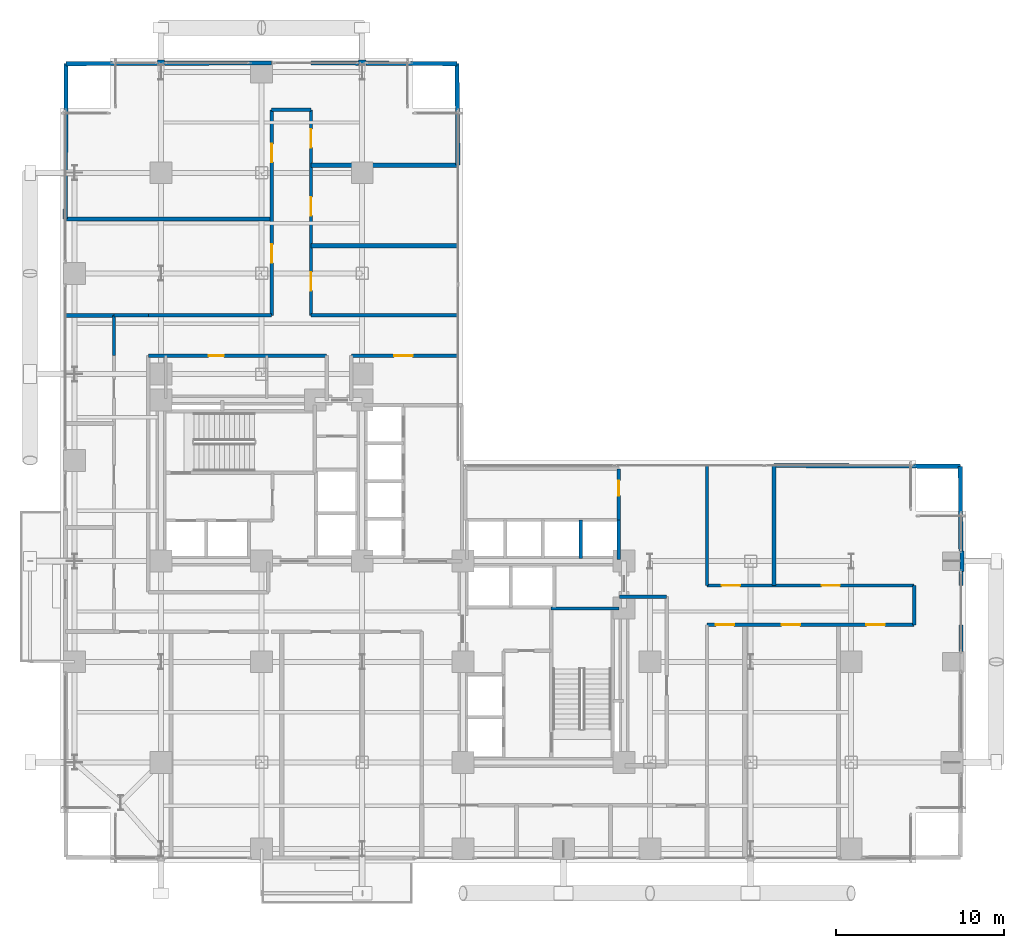
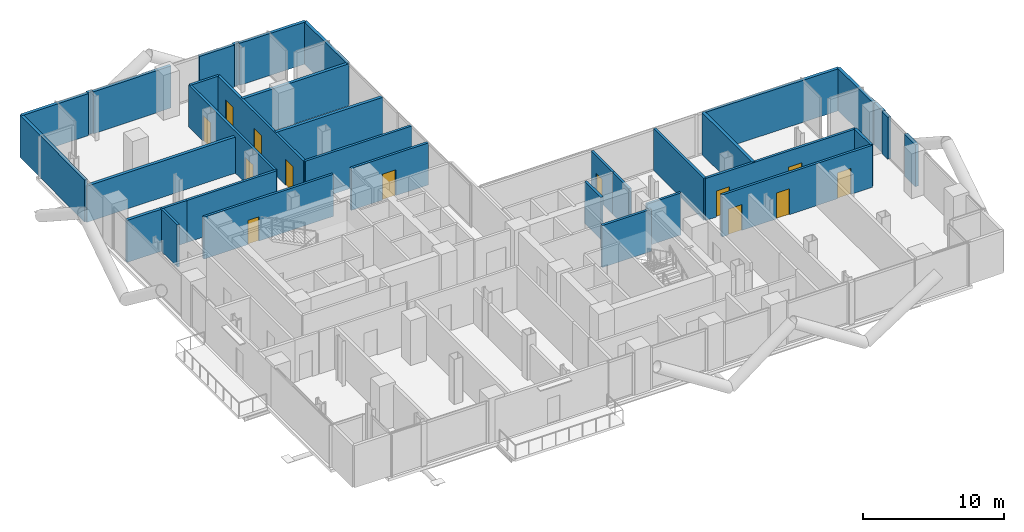
# One storey, part 22 of 25: 36 walls, 13 doors, 13 openings.
"""IFC4 building model written with IfcOpenShell, lengths in metres."""

from ifc_helpers import new_model, si_unit, direction, frame, frame_2d, origin, place, context, subcontext, project, spatial, rectangle, extrude, material, layer, layer_set, type_object, element, fill, save


model = new_model("IFC4")

# Units and contexts
model_context = context("Model", 3, precision=1e-05, world=origin(), true_north=direction((0.0, 1.0)))
body_context = subcontext(model_context, "Body", "Model", "MODEL_VIEW")
ifc_project = project(units=[si_unit("LENGTHUNIT", "METRE"), si_unit("AREAUNIT", "SQUARE_METRE"), si_unit("VOLUMEUNIT", "CUBIC_METRE"), si_unit("PLANEANGLEUNIT", "RADIAN"), si_unit("MASSUNIT", "GRAM", prefix="KILO"), si_unit("THERMODYNAMICTEMPERATUREUNIT", "KELVIN"), si_unit("POWERUNIT", "WATT")], contexts=[model_context])

# Site, building, storey
site_placement = place(None, origin())
site = spatial("IfcSite", under=ifc_project, at=site_placement, CompositionType="ELEMENT")
building_placement = place(site_placement, origin())
building = spatial("IfcBuilding", under=site, at=building_placement, Name="Svarakhadi Broadcast Tower", CompositionType="ELEMENT")
storey_placement = place(building_placement, frame((0.0, 0.0, 79.199951171875)))
storey = spatial("IfcBuildingStorey", under=building, at=storey_placement, Name="L18", CompositionType="ELEMENT", Elevation=79.199951171875)

# Walls
ifc_material_1 = material(Name="Double-Stud Acoustic Studio Partition STC-62", Category="gypsum")
ifc_layer_1 = layer(ifc_material_1, 0.199951171875)
ifc_layer_set_1 = layer_set([ifc_layer_1], Name="Double-Stud Acoustic Studio Partition STC-62")
wall_type_1 = type_object("IfcWallType", Name="Wall_Acoust_200", PredefinedType="PARTITIONING", material=ifc_layer_set_1)
wall_1_placement = place(storey_placement, frame((36.14990234375, 15.8798828125, 0.0), z_axis=(0.0, 0.0, 1.0), x_axis=(-1.0, 0.0, 0.0)))
element("IfcWall", 1, at=wall_1_placement, inside=storey, type_object=wall_type_1, Name="L18 Broadcast Corridor Wall", PredefinedType="PARTITIONING", context=body_context, shape_type="SweptSolid", body=[
    extrude(rectangle(XDim=2.809814453125, YDim=0.199951171875, at=frame_2d((1.40478515625, 0.0))), origin(), (0.0, 0.0, 1.0), 3.650146484375),
])
wall_2_placement = place(storey_placement, frame((38.550048828125, 23.699951171875, 0.0), z_axis=(0.0, 0.0, 1.0), x_axis=(0.0, -1.0, 0.0)))
element("IfcWall", 2, at=wall_2_placement, inside=storey, type_object=wall_type_1, Name="L18 Broadcast Corridor Wall", PredefinedType="PARTITIONING", context=body_context, shape_type="SweptSolid", body=[
    extrude(rectangle(XDim=7.14990234375, YDim=0.199951171875, at=frame_2d((3.574951171875, 0.0))), origin(), (0.0, 0.0, 1.0), 3.650146484375),
])

# Wall, openings, doors
wall_3_placement = place(storey_placement, frame((38.550048828125, 16.550048828125, 0.0), z_axis=(0.0, 0.0, 1.0), x_axis=(1.0, 0.0, 0.0)))
wall_3 = element("IfcWall", 3, at=wall_3_placement, inside=storey, type_object=wall_type_1, Name="L18 Broadcast Corridor Wall", PredefinedType="PARTITIONING", context=body_context, shape_type="SweptSolid", body=[
    extrude(rectangle(XDim=12.349853515625, YDim=0.199951171875, at=frame_2d((6.1748046875, 0.0))), origin(), (0.0, 0.0, 1.0), 3.650146484375),
])
opening_1_placement = place(wall_3_placement, frame((0.8798828125, 0.0, 0.0)))
opening_1 = element("IfcOpeningElement", 4, at=opening_1_placement, cuts=wall_3, Name="Opening D-10", PredefinedType="OPENING", context=body_context, shape_type="SweptSolid", body=[
    extrude(rectangle(XDim=1.10009765625, YDim=2.25, at=frame_2d((0.550048828125, 1.125))), frame((0.0, 0.10986328125, 0.0), z_axis=(0.0, -1.0, 0.0), x_axis=(1.0, 0.0, 0.0)), (0.0, 0.0, 1.0), 0.219970703125),
])
opening_2_placement = place(wall_3_placement, frame((6.830078125, 0.0, 0.0)))
opening_2 = element("IfcOpeningElement", 5, at=opening_2_placement, cuts=wall_3, Name="Opening D-10", PredefinedType="OPENING", context=body_context, shape_type="SweptSolid", body=[
    extrude(rectangle(XDim=1.10009765625, YDim=2.25, at=frame_2d((0.550048828125, 1.125))), frame((0.0, 0.10986328125, 0.0), z_axis=(0.0, -1.0, 0.0), x_axis=(1.0, 0.0, 0.0)), (0.0, 0.0, 1.0), 0.219970703125),
])
ifc_material_2 = material(Name="Solid-Core Teak Veneer Acoustic Timber Leaf", Category="wood")
door_type_1 = type_object("IfcDoorType", Name="Door_Acoust_D10", OperationType="SINGLE_SWING_LEFT", PredefinedType="DOOR", material=ifc_material_2)
door_1_placement = place(opening_1_placement, origin())
door_1 = element("IfcDoor", 6, at=door_1_placement, inside=storey, type_object=door_type_1, Name="L18 Broadcast Acoustic Booth Door", OperationType="SINGLE_SWING_LEFT", OverallHeight=2.25, OverallWidth=1.10009765625, PredefinedType="DOOR", context=body_context, shape_type="SweptSolid", body=[
    extrude(rectangle(XDim=1.10009765625, YDim=2.25, at=frame_2d((0.550048828125, 1.125))), frame((0.0, 0.02490234375, 0.0), z_axis=(0.0, -1.0, 0.0), x_axis=(1.0, 0.0, 0.0)), (0.0, 0.0, 1.0), 0.050048828125),
])
fill(opening_1, door_1)
door_2_placement = place(opening_2_placement, origin())
door_2 = element("IfcDoor", 7, at=door_2_placement, inside=storey, type_object=door_type_1, Name="L18 Broadcast Equipment Operations Room Door", OperationType="SINGLE_SWING_LEFT", OverallHeight=2.25, OverallWidth=1.10009765625, PredefinedType="DOOR", context=body_context, shape_type="SweptSolid", body=[
    extrude(rectangle(XDim=1.10009765625, YDim=2.25, at=frame_2d((0.550048828125, 1.125))), frame((0.0, 0.02490234375, 0.0), z_axis=(0.0, -1.0, 0.0), x_axis=(1.0, 0.0, 0.0)), (0.0, 0.0, 1.0), 0.050048828125),
])
fill(opening_2, door_2)

# Wall
wall_4_placement = place(storey_placement, frame((50.89990234375, 16.550048828125, 0.0), z_axis=(0.0, 0.0, 1.0), x_axis=(0.0, -1.0, 0.0)))
element("IfcWall", 8, at=wall_4_placement, inside=storey, type_object=wall_type_1, Name="L18 Broadcast Corridor Wall", PredefinedType="PARTITIONING", context=body_context, shape_type="SweptSolid", body=[
    extrude(rectangle(XDim=2.35009765625, YDim=0.199951171875, at=frame_2d((1.175048828125, 0.0))), origin(), (0.0, 0.0, 1.0), 3.650146484375),
])

# Wall, openings, doors
wall_5_placement = place(storey_placement, frame((50.89990234375, 14.199951171875, 0.0), z_axis=(0.0, 0.0, 1.0), x_axis=(-1.0, 0.0, 0.0)))
wall_5 = element("IfcWall", 9, at=wall_5_placement, inside=storey, type_object=wall_type_1, Name="L18 Broadcast Corridor Wall", PredefinedType="PARTITIONING", context=body_context, shape_type="SweptSolid", body=[
    extrude(rectangle(XDim=12.349853515625, YDim=0.199951171875, at=frame_2d((6.1748046875, 0.0))), origin(), (0.0, 0.0, 1.0), 3.650146484375),
])
opening_3_placement = place(wall_5_placement, frame((10.72509765625, 0.0, 0.0)))
opening_3 = element("IfcOpeningElement", 10, at=opening_3_placement, cuts=wall_5, Name="Opening D-11", PredefinedType="OPENING", context=body_context, shape_type="SweptSolid", body=[
    extrude(rectangle(XDim=1.10009765625, YDim=2.25, at=frame_2d((0.550048828125, 1.125))), frame((0.0, 0.10986328125, 0.0), z_axis=(0.0, -1.0, 0.0), x_axis=(1.0, 0.0, 0.0)), (0.0, 0.0, 1.0), 0.219970703125),
])
opening_4_placement = place(wall_5_placement, frame((6.800048828125, 0.0, 0.0)))
opening_4 = element("IfcOpeningElement", 11, at=opening_4_placement, cuts=wall_5, Name="Opening D-10", PredefinedType="OPENING", context=body_context, shape_type="SweptSolid", body=[
    extrude(rectangle(XDim=1.10009765625, YDim=2.25, at=frame_2d((0.550048828125, 1.125))), frame((0.0, 0.10986328125, 0.0), z_axis=(0.0, -1.0, 0.0), x_axis=(1.0, 0.0, 0.0)), (0.0, 0.0, 1.0), 0.219970703125),
])
opening_5_placement = place(wall_5_placement, frame((1.75, 0.0, 0.0)))
opening_5 = element("IfcOpeningElement", 12, at=opening_5_placement, cuts=wall_5, Name="Opening D-11", PredefinedType="OPENING", context=body_context, shape_type="SweptSolid", body=[
    extrude(rectangle(XDim=1.10009765625, YDim=2.25, at=frame_2d((0.550048828125, 1.125))), frame((0.0, 0.10986328125, 0.0), z_axis=(0.0, -1.0, 0.0), x_axis=(1.0, 0.0, 0.0)), (0.0, 0.0, 1.0), 0.219970703125),
])
door_3_placement = place(opening_4_placement, origin())
door_3 = element("IfcDoor", 13, at=door_3_placement, inside=storey, type_object=door_type_1, Name="L18 Green-Screen Vodcast Room Door", OperationType="SINGLE_SWING_LEFT", OverallHeight=2.25, OverallWidth=1.10009765625, PredefinedType="DOOR", context=body_context, shape_type="SweptSolid", body=[
    extrude(rectangle(XDim=1.10009765625, YDim=2.25, at=frame_2d((0.550048828125, 1.125))), frame((0.0, 0.02490234375, 0.0), z_axis=(0.0, -1.0, 0.0), x_axis=(1.0, 0.0, 0.0)), (0.0, 0.0, 1.0), 0.050048828125),
])
fill(opening_4, door_3)
door_type_2 = type_object("IfcDoorType", Name="Door_Acoust_D11", OperationType="SINGLE_SWING_RIGHT", PredefinedType="DOOR", material=ifc_material_2)
door_4_placement = place(opening_3_placement, origin())
door_4 = element("IfcDoor", 14, at=door_4_placement, inside=storey, type_object=door_type_2, Name="L18 Podcast Roundtable Studio Door", OperationType="SINGLE_SWING_RIGHT", OverallHeight=2.25, OverallWidth=1.10009765625, PredefinedType="DOOR", context=body_context, shape_type="SweptSolid", body=[
    extrude(rectangle(XDim=1.10009765625, YDim=2.25, at=frame_2d((0.550048828125, 1.125))), frame((0.0, 0.02490234375, 0.0), z_axis=(0.0, -1.0, 0.0), x_axis=(1.0, 0.0, 0.0)), (0.0, 0.0, 1.0), 0.050048828125),
])
fill(opening_3, door_4)
door_5_placement = place(opening_5_placement, origin())
door_5 = element("IfcDoor", 15, at=door_5_placement, inside=storey, type_object=door_type_2, Name="L18 Guest Waiting Lounge Door", OperationType="SINGLE_SWING_RIGHT", OverallHeight=2.25, OverallWidth=1.10009765625, PredefinedType="DOOR", context=body_context, shape_type="SweptSolid", body=[
    extrude(rectangle(XDim=1.10009765625, YDim=2.25, at=frame_2d((0.550048828125, 1.125))), frame((0.0, 0.02490234375, 0.0), z_axis=(0.0, -1.0, 0.0), x_axis=(1.0, 0.0, 0.0)), (0.0, 0.0, 1.0), 0.050048828125),
])
fill(opening_5, door_5)

# Walls
wall_6_placement = place(storey_placement, frame((3.199951171875, 30.25, 0.0), z_axis=(0.0, 0.0, 1.0), x_axis=(0.0, 1.0, 0.0)))
element("IfcWall", 16, at=wall_6_placement, inside=storey, type_object=wall_type_1, Name="L18 Broadcast Corridor Wall", PredefinedType="PARTITIONING", context=body_context, shape_type="SweptSolid", body=[
    extrude(rectangle(XDim=2.39990234375, YDim=0.199951171875, at=frame_2d((1.199951171875, 0.0))), origin(), (0.0, 0.0, 1.0), 3.650146484375),
])
wall_7_placement = place(storey_placement, frame((3.199951171875, 32.64990234375, 0.0), z_axis=(0.0, 0.0, 1.0), x_axis=(1.0, 0.0, 0.0)))
element("IfcWall", 17, at=wall_7_placement, inside=storey, type_object=wall_type_1, Name="L18 Broadcast Corridor Wall", PredefinedType="PARTITIONING", context=body_context, shape_type="SweptSolid", body=[
    extrude(rectangle(XDim=2.050048828125, YDim=0.199951171875, at=frame_2d((1.02490234375, 0.0))), origin(), (0.0, 0.0, 1.0), 3.650146484375),
])
wall_8_placement = place(storey_placement, frame((5.25, 32.64990234375, 0.0), z_axis=(0.0, 0.0, 1.0), x_axis=(1.0, 0.0, 0.0)))
element("IfcWall", 18, at=wall_8_placement, inside=storey, type_object=wall_type_1, Name="L18 Broadcast Corridor Wall", PredefinedType="PARTITIONING", context=body_context, shape_type="SweptSolid", body=[
    extrude(rectangle(XDim=7.35009765625, YDim=0.199951171875, at=frame_2d((3.675048828125, 0.0))), origin(), (0.0, 0.0, 1.0), 3.650146484375),
])

# Wall, openings, doors
wall_9_placement = place(storey_placement, frame((12.60009765625, 32.64990234375, 0.0), z_axis=(0.0, 0.0, 1.0), x_axis=(0.0, 1.0, 0.0)))
wall_9 = element("IfcWall", 19, at=wall_9_placement, inside=storey, type_object=wall_type_1, Name="L18 Broadcast Corridor Wall", PredefinedType="PARTITIONING", context=body_context, shape_type="SweptSolid", body=[
    extrude(rectangle(XDim=12.25, YDim=0.199951171875, at=frame_2d((6.125, 0.0))), origin(), (0.0, 0.0, 1.0), 3.650146484375),
])
opening_6_placement = place(wall_9_placement, frame((3.1298828125, 0.0, 0.0)))
opening_6 = element("IfcOpeningElement", 20, at=opening_6_placement, cuts=wall_9, Name="Opening D-11", PredefinedType="OPENING", context=body_context, shape_type="SweptSolid", body=[
    extrude(rectangle(XDim=1.10009765625, YDim=2.25, at=frame_2d((0.550048828125, 1.125))), frame((0.0, 0.10986328125, 0.0), z_axis=(0.0, -1.0, 0.0), x_axis=(1.0, 0.0, 0.0)), (0.0, 0.0, 1.0), 0.219970703125),
])
opening_7_placement = place(wall_9_placement, frame((9.1298828125, 0.0, 0.0)))
opening_7 = element("IfcOpeningElement", 21, at=opening_7_placement, cuts=wall_9, Name="Opening D-11", PredefinedType="OPENING", context=body_context, shape_type="SweptSolid", body=[
    extrude(rectangle(XDim=1.10009765625, YDim=2.25, at=frame_2d((0.550048828125, 1.125))), frame((0.0, 0.10986328125, 0.0), z_axis=(0.0, -1.0, 0.0), x_axis=(1.0, 0.0, 0.0)), (0.0, 0.0, 1.0), 0.219970703125),
])
door_6_placement = place(opening_6_placement, origin())
door_6 = element("IfcDoor", 22, at=door_6_placement, inside=storey, type_object=door_type_2, Name="L18 Web Engineering Hub Door", OperationType="SINGLE_SWING_RIGHT", OverallHeight=2.25, OverallWidth=1.10009765625, PredefinedType="DOOR", context=body_context, shape_type="SweptSolid", body=[
    extrude(rectangle(XDim=1.10009765625, YDim=2.25, at=frame_2d((0.550048828125, 1.125))), frame((0.0, 0.02490234375, 0.0), z_axis=(0.0, -1.0, 0.0), x_axis=(1.0, 0.0, 0.0)), (0.0, 0.0, 1.0), 0.050048828125),
])
fill(opening_6, door_6)
door_7_placement = place(opening_7_placement, origin())
door_7 = element("IfcDoor", 23, at=door_7_placement, inside=storey, type_object=door_type_2, Name="L18 Creators Coffee Bar Door", OperationType="SINGLE_SWING_RIGHT", OverallHeight=2.25, OverallWidth=1.10009765625, PredefinedType="DOOR", context=body_context, shape_type="SweptSolid", body=[
    extrude(rectangle(XDim=1.10009765625, YDim=2.25, at=frame_2d((0.550048828125, 1.125))), frame((0.0, 0.02490234375, 0.0), z_axis=(0.0, -1.0, 0.0), x_axis=(1.0, 0.0, 0.0)), (0.0, 0.0, 1.0), 0.050048828125),
])
fill(opening_7, door_7)

# Wall
wall_10_placement = place(storey_placement, frame((12.60009765625, 44.89990234375, 0.0), z_axis=(0.0, 0.0, 1.0), x_axis=(1.0, 0.0, 0.0)))
element("IfcWall", 24, at=wall_10_placement, inside=storey, type_object=wall_type_1, Name="L18 Broadcast Corridor Wall", PredefinedType="PARTITIONING", context=body_context, shape_type="SweptSolid", body=[
    extrude(rectangle(XDim=2.349853515625, YDim=0.199951171875, at=frame_2d((1.1748046875, 0.0))), origin(), (0.0, 0.0, 1.0), 3.650146484375),
])

# Wall, openings, doors
wall_11_placement = place(storey_placement, frame((14.949951171875, 44.89990234375, 0.0), z_axis=(0.0, 0.0, 1.0), x_axis=(0.0, -1.0, 0.0)))
wall_11 = element("IfcWall", 25, at=wall_11_placement, inside=storey, type_object=wall_type_1, Name="L18 Broadcast Corridor Wall", PredefinedType="PARTITIONING", context=body_context, shape_type="SweptSolid", body=[
    extrude(rectangle(XDim=12.25, YDim=0.199951171875, at=frame_2d((6.125, 0.0))), origin(), (0.0, 0.0, 1.0), 3.650146484375),
])
opening_8_placement = place(wall_11_placement, frame((9.675048828125, 0.0, 0.0)))
opening_8 = element("IfcOpeningElement", 26, at=opening_8_placement, cuts=wall_11, Name="Opening D-10", PredefinedType="OPENING", context=body_context, shape_type="SweptSolid", body=[
    extrude(rectangle(XDim=1.10009765625, YDim=2.25, at=frame_2d((0.550048828125, 1.125))), frame((0.0, 0.10986328125, 0.0), z_axis=(0.0, -1.0, 0.0), x_axis=(1.0, 0.0, 0.0)), (0.0, 0.0, 1.0), 0.219970703125),
])
opening_9_placement = place(wall_11_placement, frame((5.199951171875, 0.0, 0.0)))
opening_9 = element("IfcOpeningElement", 27, at=opening_9_placement, cuts=wall_11, Name="Opening D-11", PredefinedType="OPENING", context=body_context, shape_type="SweptSolid", body=[
    extrude(rectangle(XDim=1.10009765625, YDim=2.25, at=frame_2d((0.550048828125, 1.125))), frame((0.0, 0.10986328125, 0.0), z_axis=(0.0, -1.0, 0.0), x_axis=(1.0, 0.0, 0.0)), (0.0, 0.0, 1.0), 0.219970703125),
])
opening_10_placement = place(wall_11_placement, frame((1.14990234375, 0.0, 0.0)))
opening_10 = element("IfcOpeningElement", 28, at=opening_10_placement, cuts=wall_11, Name="Opening D-10", PredefinedType="OPENING", context=body_context, shape_type="SweptSolid", body=[
    extrude(rectangle(XDim=1.10009765625, YDim=2.25, at=frame_2d((0.550048828125, 1.125))), frame((0.0, 0.10986328125, 0.0), z_axis=(0.0, -1.0, 0.0), x_axis=(1.0, 0.0, 0.0)), (0.0, 0.0, 1.0), 0.219970703125),
])
door_8_placement = place(opening_8_placement, origin())
door_8 = element("IfcDoor", 29, at=door_8_placement, inside=storey, type_object=door_type_1, Name="L18 Stream Monitoring Office Door", OperationType="SINGLE_SWING_LEFT", OverallHeight=2.25, OverallWidth=1.10009765625, PredefinedType="DOOR", context=body_context, shape_type="SweptSolid", body=[
    extrude(rectangle(XDim=1.10009765625, YDim=2.25, at=frame_2d((0.550048828125, 1.125))), frame((0.0, 0.02490234375, 0.0), z_axis=(0.0, -1.0, 0.0), x_axis=(1.0, 0.0, 0.0)), (0.0, 0.0, 1.0), 0.050048828125),
])
fill(opening_8, door_8)
door_9_placement = place(opening_10_placement, origin())
door_9 = element("IfcDoor", 30, at=door_9_placement, inside=storey, type_object=door_type_1, Name="L18 Agile Scrum Huddle Room Door", OperationType="SINGLE_SWING_LEFT", OverallHeight=2.25, OverallWidth=1.10009765625, PredefinedType="DOOR", context=body_context, shape_type="SweptSolid", body=[
    extrude(rectangle(XDim=1.10009765625, YDim=2.25, at=frame_2d((0.550048828125, 1.125))), frame((0.0, 0.02490234375, 0.0), z_axis=(0.0, -1.0, 0.0), x_axis=(1.0, 0.0, 0.0)), (0.0, 0.0, 1.0), 0.050048828125),
])
fill(opening_10, door_9)
door_10_placement = place(opening_9_placement, origin())
door_10 = element("IfcDoor", 31, at=door_10_placement, inside=storey, type_object=door_type_2, Name="L18 Edge Cache Server Room Door", OperationType="SINGLE_SWING_RIGHT", OverallHeight=2.25, OverallWidth=1.10009765625, PredefinedType="DOOR", context=body_context, shape_type="SweptSolid", body=[
    extrude(rectangle(XDim=1.10009765625, YDim=2.25, at=frame_2d((0.550048828125, 1.125))), frame((0.0, 0.02490234375, 0.0), z_axis=(0.0, -1.0, 0.0), x_axis=(1.0, 0.0, 0.0)), (0.0, 0.0, 1.0), 0.050048828125),
])
fill(opening_9, door_10)

# Wall
wall_12_placement = place(storey_placement, frame((14.949951171875, 32.64990234375, 0.0), z_axis=(0.0, 0.0, 1.0), x_axis=(1.0, 0.0, 0.0)))
element("IfcWall", 32, at=wall_12_placement, inside=storey, type_object=wall_type_1, Name="L18 Broadcast Corridor Wall", PredefinedType="PARTITIONING", context=body_context, shape_type="SweptSolid", body=[
    extrude(rectangle(XDim=8.75, YDim=0.199951171875, at=frame_2d((4.375, 0.0))), origin(), (0.0, 0.0, 1.0), 3.650146484375),
])

# Wall, opening, door
wall_13_placement = place(storey_placement, frame((23.699951171875, 30.25, 0.0), z_axis=(0.0, 0.0, 1.0), x_axis=(-1.0, 0.0, 0.0)))
wall_13 = element("IfcWall", 33, at=wall_13_placement, inside=storey, type_object=wall_type_1, Name="L18 Broadcast Corridor Wall", PredefinedType="PARTITIONING", context=body_context, shape_type="SweptSolid", body=[
    extrude(rectangle(XDim=6.349853515625, YDim=0.199951171875, at=frame_2d((3.1748046875, 0.0))), origin(), (0.0, 0.0, 1.0), 3.650146484375),
])
opening_11_placement = place(wall_13_placement, frame((2.699951171875, 0.0, 0.0)))
opening_11 = element("IfcOpeningElement", 34, at=opening_11_placement, cuts=wall_13, Name="Opening D-11", PredefinedType="OPENING", context=body_context, shape_type="SweptSolid", body=[
    extrude(rectangle(XDim=1.10009765625, YDim=2.25, at=frame_2d((0.550048828125, 1.125))), frame((0.0, 0.10986328125, 0.0), z_axis=(0.0, -1.0, 0.0), x_axis=(1.0, 0.0, 0.0)), (0.0, 0.0, 1.0), 0.219970703125),
])
door_11_placement = place(opening_11_placement, origin())
door_11 = element("IfcDoor", 35, at=door_11_placement, inside=storey, type_object=door_type_2, Name="L18 Production Continuity Office Door", OperationType="SINGLE_SWING_RIGHT", OverallHeight=2.25, OverallWidth=1.10009765625, PredefinedType="DOOR", context=body_context, shape_type="SweptSolid", body=[
    extrude(rectangle(XDim=1.10009765625, YDim=2.25, at=frame_2d((0.550048828125, 1.125))), frame((0.0, 0.02490234375, 0.0), z_axis=(0.0, -1.0, 0.0), x_axis=(1.0, 0.0, 0.0)), (0.0, 0.0, 1.0), 0.050048828125),
])
fill(opening_11, door_11)

wall_14_placement = place(storey_placement, frame((15.8798828125, 30.25, 0.0), z_axis=(0.0, 0.0, 1.0), x_axis=(-1.0, 0.0, 0.0)))
wall_14 = element("IfcWall", 36, at=wall_14_placement, inside=storey, type_object=wall_type_1, Name="L18 Broadcast Corridor Wall", PredefinedType="PARTITIONING", context=body_context, shape_type="SweptSolid", body=[
    extrude(rectangle(XDim=10.6298828125, YDim=0.199951171875, at=frame_2d((5.31494140625, 0.0))), origin(), (0.0, 0.0, 1.0), 3.650146484375),
])
opening_12_placement = place(wall_14_placement, frame((6.1298828125, 0.0, 0.0)))
opening_12 = element("IfcOpeningElement", 37, at=opening_12_placement, cuts=wall_14, Name="Opening D-12", PredefinedType="OPENING", context=body_context, shape_type="SweptSolid", body=[
    extrude(rectangle(XDim=0.89990234375, YDim=2.10009765625, at=frame_2d((0.449951171875, 1.050048828125))), frame((0.0, 0.10986328125, 0.0), z_axis=(0.0, -1.0, 0.0), x_axis=(1.0, 0.0, 0.0)), (0.0, 0.0, 1.0), 0.219970703125),
])
door_type_3 = type_object("IfcDoorType", Name="Door_WC_D01", OperationType="SINGLE_SWING_LEFT", PredefinedType="DOOR", material=ifc_material_2)
door_12_placement = place(opening_12_placement, origin())
door_12 = element("IfcDoor", 38, at=door_12_placement, inside=storey, type_object=door_type_3, Name="L18 Accessible Toilet WC Door", OperationType="SINGLE_SWING_LEFT", OverallHeight=2.10009765625, OverallWidth=0.89990234375, PredefinedType="DOOR", context=body_context, shape_type="SweptSolid", body=[
    extrude(rectangle(XDim=0.89990234375, YDim=2.10009765625, at=frame_2d((0.449951171875, 1.050048828125))), frame((0.0, 0.02490234375, 0.0), z_axis=(0.0, -1.0, 0.0), x_axis=(1.0, 0.0, 0.0)), (0.0, 0.0, 1.0), 0.050048828125),
])
fill(opening_12, door_12)

# Walls
ifc_layer_2 = layer(ifc_material_1, 0.25)
ifc_layer_set_2 = layer_set([ifc_layer_2], Name="Double-Stud Acoustic Studio Partition STC-62")
wall_type_2 = type_object("IfcWallType", Name="Wall_Acoust_250", PredefinedType="PARTITIONING", material=ifc_layer_set_2)
wall_15_placement = place(storey_placement, frame((53.6943359375, 12.614990234375, 0.0), z_axis=(0.0, 0.0, 1.0), x_axis=(0.003542799701, 0.999993724265, 0.0)))
element("IfcWall", 39, at=wall_15_placement, inside=storey, type_object=wall_type_2, Name="L18 Guest Waiting Lounge Wall", PredefinedType="PARTITIONING", context=body_context, shape_type="SweptSolid", body=[
    extrude(rectangle(XDim=1.5849609375, YDim=0.25, at=frame_2d((0.79248046875, 0.0))), origin(), (0.0, 0.0, 1.0), 3.650146484375),
])
wall_16_placement = place(storey_placement, frame((42.550048828125, 16.550048828125, 0.0), z_axis=(0.0, 0.0, 1.0), x_axis=(0.0, 1.0, 0.0)))
element("IfcWall", 40, at=wall_16_placement, inside=storey, type_object=wall_type_2, Name="L18 Broadcast Acoustic Booth Wall", PredefinedType="PARTITIONING", context=body_context, shape_type="SweptSolid", body=[
    extrude(rectangle(XDim=7.14990234375, YDim=0.25, at=frame_2d((3.574951171875, 0.0))), origin(), (0.0, 0.0, 1.0), 3.650146484375),
])
wall_17_placement = place(storey_placement, frame((42.550048828125, 23.699951171875, 0.0), z_axis=(0.0, 0.0, 1.0), x_axis=(0.999989834782, -0.004508917104, 0.0)))
element("IfcWall", 41, at=wall_17_placement, inside=storey, type_object=wall_type_2, Name="L18 Broadcast Equipment Operations Room Wall", PredefinedType="PARTITIONING", context=body_context, shape_type="SweptSolid", body=[
    extrude(rectangle(XDim=11.099853515625, YDim=0.25, at=frame_2d((5.5498046875, 0.0))), origin(), (0.0, 0.0, 1.0), 3.650146484375),
])
wall_18_placement = place(storey_placement, frame((53.699951171875, 16.550048828125, 0.0), z_axis=(0.0, 0.0, 1.0), x_axis=(-0.007017371073, 0.999975377948, 0.0)))
element("IfcWall", 42, at=wall_18_placement, inside=storey, type_object=wall_type_2, Name="L18 Broadcast Equipment Operations Room Wall", PredefinedType="PARTITIONING", context=body_context, shape_type="SweptSolid", body=[
    extrude(rectangle(XDim=0.8349609375, YDim=0.25, at=frame_2d((0.41748046875, 0.0))), origin(), (0.0, 0.0, 1.0), 3.650146484375),
])
wall_19_placement = place(storey_placement, frame((53.685546875, 18.614990234375, 0.0), z_axis=(0.0, 0.0, 1.0), x_axis=(-0.007079296972, 0.999974941463, 0.0)))
element("IfcWall", 43, at=wall_19_placement, inside=storey, type_object=wall_type_2, Name="L18 Broadcast Equipment Operations Room Wall", PredefinedType="PARTITIONING", context=body_context, shape_type="SweptSolid", body=[
    extrude(rectangle(XDim=5.03515625, YDim=0.25, at=frame_2d((2.517578125, 0.0))), origin(), (0.0, 0.0, 1.0), 3.650146484375),
])
wall_20_placement = place(storey_placement, frame((0.300048828125, 38.39990234375, 0.0), z_axis=(0.0, 0.0, 1.0), x_axis=(1.0, 0.0, 0.0)))
element("IfcWall", 44, at=wall_20_placement, inside=storey, type_object=wall_type_2, Name="L18 Web Engineering Hub Wall", PredefinedType="PARTITIONING", context=body_context, shape_type="SweptSolid", body=[
    extrude(rectangle(XDim=12.300048828125, YDim=0.25, at=frame_2d((6.14990234375, 0.0))), origin(), (0.0, 0.0, 1.0), 3.14208984375),
])
wall_21_placement = place(storey_placement, frame((0.35009765625, 47.64990234375, 0.0), z_axis=(0.0, 0.0, 1.0), x_axis=(0.999991644778, 0.004087832518, 0.0)))
element("IfcWall", 45, at=wall_21_placement, inside=storey, type_object=wall_type_2, Name="L18 Creators Coffee Bar Wall", PredefinedType="PARTITIONING", context=body_context, shape_type="SweptSolid", body=[
    extrude(rectangle(XDim=5.434814453125, YDim=0.25, at=frame_2d((2.71728515625, 0.0))), origin(), (0.0, 0.0, 1.0), 3.650146484375),
])
wall_22_placement = place(storey_placement, frame((6.215087890625, 47.673828125, 0.0), z_axis=(0.0, 0.0, 1.0), x_axis=(0.999991630701, 0.004091274595, 0.0)))
element("IfcWall", 46, at=wall_22_placement, inside=storey, type_object=wall_type_2, Name="L18 Creators Coffee Bar Wall", PredefinedType="PARTITIONING", context=body_context, shape_type="SweptSolid", body=[
    extrude(rectangle(XDim=6.385009765625, YDim=0.25, at=frame_2d((3.1923828125, 0.0))), origin(), (0.0, 0.0, 1.0), 3.650146484375),
])
wall_23_placement = place(storey_placement, frame((0.300048828125, 38.39990234375, 0.0), z_axis=(0.0, 0.0, 1.0), x_axis=(0.005410604923, 0.99998536257, 0.0)))
element("IfcWall", 47, at=wall_23_placement, inside=storey, type_object=wall_type_2, Name="L18 Creators Coffee Bar Wall", PredefinedType="PARTITIONING", context=body_context, shape_type="SweptSolid", body=[
    extrude(rectangle(XDim=9.250244140625, YDim=0.25, at=frame_2d((4.625, 0.0))), origin(), (0.0, 0.0, 1.0), 3.650146484375),
])
for number, where, z_axis, x_axis, name in (
    (48, (14.949951171875, 36.800048828125, 0.0), (0.0, 0.0, 1.0), (1.0, 0.0, 0.0), "L18 Stream Monitoring Office Wall"),
    (49, (14.949951171875, 41.60009765625, 0.0), (0.0, 0.0, 1.0), (1.0, 0.0, 0.0), "L18 Edge Cache Server Room Wall"),
):
    element("IfcWall", number, at=place(storey_placement, frame(where, z_axis=z_axis, x_axis=x_axis)), inside=storey, type_object=wall_type_2, Name=name, PredefinedType="PARTITIONING", context=body_context, shape_type="SweptSolid", body=[
        extrude(rectangle(XDim=8.75, YDim=0.25, at=frame_2d((4.375, 0.0))), origin(), (0.0, 0.0, 1.0), 3.650146484375),
    ])
wall_24_placement = place(storey_placement, frame((14.949951171875, 47.699951171875, 0.0), z_axis=(0.0, 0.0, 1.0), x_axis=(0.999983354582, -0.005769797172, 0.0)))
element("IfcWall", 50, at=wall_24_placement, inside=storey, type_object=wall_type_2, Name="L18 Agile Scrum Huddle Room Wall", PredefinedType="PARTITIONING", context=body_context, shape_type="SweptSolid", body=[
    extrude(rectangle(XDim=2.8349609375, YDim=0.25, at=frame_2d((1.41748046875, 0.0))), origin(), (0.0, 0.0, 1.0), 3.650146484375),
])
wall_25_placement = place(storey_placement, frame((18.215087890625, 47.68115234375, 0.0), z_axis=(0.0, 0.0, 1.0), x_axis=(0.999983469354, -0.005749871258, 0.0)))
element("IfcWall", 51, at=wall_25_placement, inside=storey, type_object=wall_type_2, Name="L18 Agile Scrum Huddle Room Wall", PredefinedType="PARTITIONING", context=body_context, shape_type="SweptSolid", body=[
    extrude(rectangle(XDim=5.434814453125, YDim=0.25, at=frame_2d((2.71728515625, 0.0))), origin(), (0.0, 0.0, 1.0), 3.650146484375),
])
wall_26_placement = place(storey_placement, frame((23.699951171875, 41.60009765625, 0.0), z_axis=(0.0, 0.0, 1.0), x_axis=(-0.008272517568, 0.999965782141, 0.0)))
element("IfcWall", 52, at=wall_26_placement, inside=storey, type_object=wall_type_2, Name="L18 Agile Scrum Huddle Room Wall", PredefinedType="PARTITIONING", context=body_context, shape_type="SweptSolid", body=[
    extrude(rectangle(XDim=6.050048828125, YDim=0.25, at=frame_2d((3.02490234375, 0.0))), origin(), (0.0, 0.0, 1.0), 3.650146484375),
])
wall_27_placement = place(storey_placement, frame((0.300048828125, 32.64990234375, 0.0), z_axis=(0.0, 0.0, 1.0), x_axis=(1.0, 0.0, 0.0)))
element("IfcWall", 53, at=wall_27_placement, inside=storey, type_object=wall_type_2, Name="L18 Producer Quiet Lounge Wall", PredefinedType="PARTITIONING", context=body_context, shape_type="SweptSolid", body=[
    extrude(rectangle(XDim=2.89990234375, YDim=0.25, at=frame_2d((1.449951171875, 0.0))), origin(), (0.0, 0.0, 1.0), 3.650146484375),
])
ifc_material_3 = material(Name="Concrete C40/50 (IS 456 M50)", Category="concrete")
ifc_layer_3 = layer(ifc_material_3, 0.239990234375)
ifc_layer_set_3 = layer_set([ifc_layer_3], Name="Concrete C40/50 (IS 456 M50)")
wall_type_3 = type_object("IfcWallType", Name="Wall_Ext_240", PredefinedType="SOLIDWALL", material=ifc_layer_set_3)
for number, where, z_axis, x_axis, name in (
    (54, (5.784912109375, 47.760009765625, 0.0), (0.0, 0.0, 1.0), (1.0, 0.0, 0.0), "L18 Perimeter Bronze Spandrel Closure Wall 01"),
    (55, (17.784912109375, 47.760009765625, 0.0), (0.0, 0.0, 1.0), (1.0, 0.0, 0.0), "L18 Perimeter Bronze Spandrel Closure Wall 02"),
):
    element("IfcWall", number, at=place(storey_placement, frame(where, z_axis=z_axis, x_axis=x_axis)), inside=storey, type_object=wall_type_3, Name=name, PredefinedType="SOLIDWALL", context=body_context, shape_type="SweptSolid", body=[
        extrude(rectangle(XDim=0.43017578125, YDim=0.239990234375, at=frame_2d((0.215087890625, 0.0))), origin(), (0.0, 0.0, 1.0), 3.650146484375),
    ])
wall_28_placement = place(storey_placement, frame((53.760009765625, 18.614990234375, 0.0), z_axis=(0.0, 0.0, 1.0), x_axis=(0.0, -1.0, 0.0)))
element("IfcWall", 56, at=wall_28_placement, inside=storey, type_object=wall_type_3, Name="L18 Perimeter Bronze Spandrel Closure Wall 03", PredefinedType="SOLIDWALL", context=body_context, shape_type="SweptSolid", body=[
    extrude(rectangle(XDim=1.22998046875, YDim=0.239990234375, at=frame_2d((0.614990234375, 0.0))), origin(), (0.0, 0.0, 1.0), 3.650146484375),
])
ifc_material_4 = material(Name="Concrete C50/60 (IS 456 M60)", Category="concrete")
ifc_layer_4 = layer(ifc_material_4, 0.199951171875)
ifc_layer_set_4 = layer_set([ifc_layer_4], Name="Concrete C50/60 (IS 456 M60)")
wall_type_4 = type_object("IfcWallType", Name="Wall_Shear_200", PredefinedType="SHEAR", material=ifc_layer_set_4)
wall_29_placement = place(storey_placement, frame((29.260009765625, 15.179931640625, 0.0), z_axis=(0.0, 0.0, 1.0), x_axis=(1.0, 0.0, 0.0)))
element("IfcWall", 57, at=wall_29_placement, inside=storey, type_object=wall_type_4, Name="L18 Stair ST-02 North RC Shaft Wall", PredefinedType="SHEAR", context=body_context, shape_type="SweptSolid", body=[
    extrude(rectangle(XDim=4.0400390625, YDim=0.199951171875, at=frame_2d((2.02001953125, 0.0))), origin(), (0.0, 0.0, 1.0), 3.650146484375),
])
wall_30_placement = place(storey_placement, frame((33.300048828125, 18.10009765625, 0.0), z_axis=(0.0, 0.0, 1.0), x_axis=(0.0, 1.0, 0.0)))
element("IfcWall", 58, at=wall_30_placement, inside=storey, type_object=wall_type_4, Name="L18 Bank B East Shaft Wall", PredefinedType="SHEAR", context=body_context, shape_type="SweptSolid", body=[
    extrude(rectangle(XDim=2.349853515625, YDim=0.199951171875, at=frame_2d((1.1748046875, 0.0))), origin(), (0.0, 0.0, 1.0), 3.650146484375),
])
wall_31_placement = place(storey_placement, frame((31.02001953125, 18.14990234375, 0.0), z_axis=(0.0, 0.0, 1.0), x_axis=(0.0, 1.0, 0.0)))
element("IfcWall", 59, at=wall_31_placement, inside=storey, type_object=wall_type_4, Name="L18 Bank B Divider", PredefinedType="SHEAR", context=body_context, shape_type="SweptSolid", body=[
    extrude(rectangle(XDim=2.300048828125, YDim=0.199951171875, at=frame_2d((1.14990234375, 0.0))), origin(), (0.0, 0.0, 1.0), 3.650146484375),
])

# Wall, opening, door
wall_32_placement = place(storey_placement, frame((33.300048828125, 20.449951171875, 0.0), z_axis=(0.0, 0.0, 1.0), x_axis=(0.0, 1.0, 0.0)))
wall_32 = element("IfcWall", 60, at=wall_32_placement, inside=storey, type_object=wall_type_4, Name="L18 Bank B Lift Hall East Wall", PredefinedType="SHEAR", context=body_context, shape_type="SweptSolid", body=[
    extrude(rectangle(XDim=3.050048828125, YDim=0.199951171875, at=frame_2d((1.52490234375, 0.0))), origin(), (0.0, 0.0, 1.0), 3.650146484375),
])
opening_13_placement = place(wall_32_placement, frame((1.449951171875, 0.0, 0.0)))
opening_13 = element("IfcOpeningElement", 61, at=opening_13_placement, cuts=wall_32, Name="Opening D-04", PredefinedType="OPENING", context=body_context, shape_type="SweptSolid", body=[
    extrude(rectangle(XDim=0.89990234375, YDim=2.14990234375, at=frame_2d((0.449951171875, 1.074951171875))), frame((0.0, 0.10986328125, 0.0), z_axis=(0.0, -1.0, 0.0), x_axis=(1.0, 0.0, 0.0)), (0.0, 0.0, 1.0), 0.219970703125),
])
ifc_material_5 = material(Name="Galvanised Powder-Coated Fire-Rated Steel Leaf", Category="steel")
door_type_4 = type_object("IfcDoorType", Name="Door_Fire_D04", OperationType="SINGLE_SWING_RIGHT", PredefinedType="DOOR", material=ifc_material_5)
door_13_placement = place(opening_13_placement, origin())
door_13 = element("IfcDoor", 62, at=door_13_placement, inside=storey, type_object=door_type_4, Name="L18 Mid-Rise Lift Hall East Corridor Door", OperationType="SINGLE_SWING_RIGHT", OverallHeight=2.14990234375, OverallWidth=0.89990234375, PredefinedType="DOOR", context=body_context, shape_type="SweptSolid", body=[
    extrude(rectangle(XDim=0.89990234375, YDim=2.14990234375, at=frame_2d((0.449951171875, 1.074951171875))), frame((0.0, 0.02490234375, 0.0), z_axis=(0.0, -1.0, 0.0), x_axis=(1.0, 0.0, 0.0)), (0.0, 0.0, 1.0), 0.050048828125),
])
fill(opening_13, door_13)

save(model, "model.ifc")
